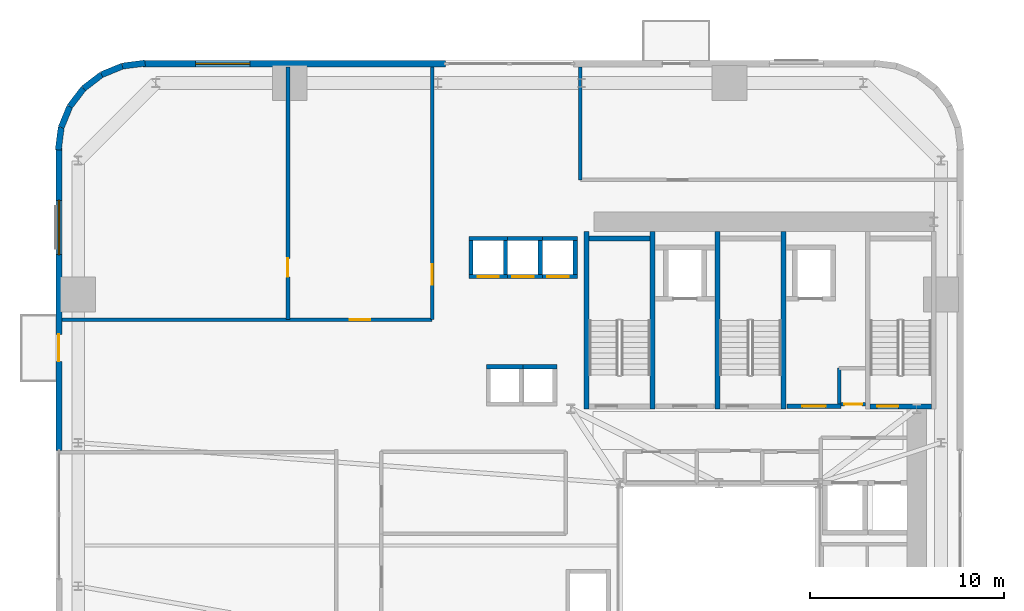
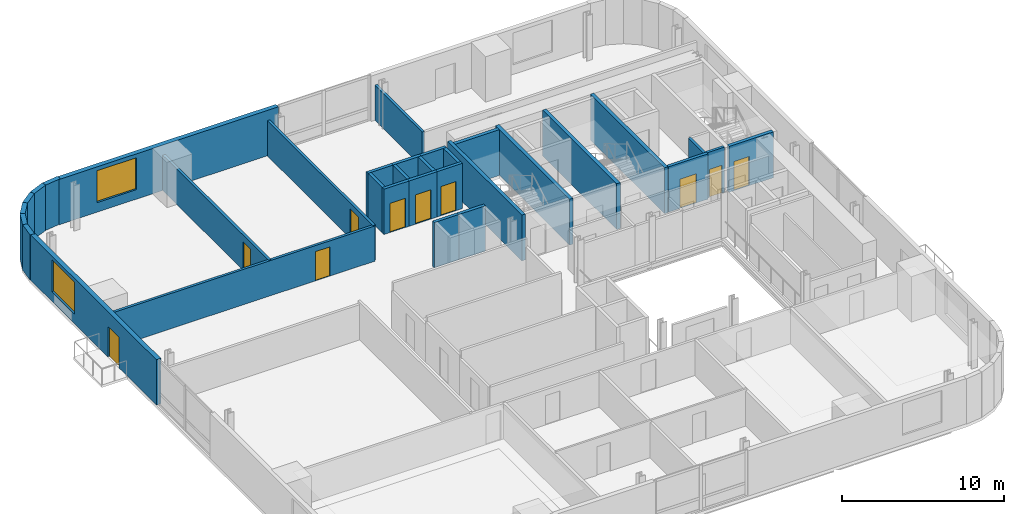
# One storey, part 8 of 11: 33 walls, 10 doors, 2 windows, 12 openings.
"""IFC4 building model written with IfcOpenShell, lengths in metres."""

from ifc_helpers import new_model, si_unit, direction, frame, frame_2d, origin, place, context, subcontext, project, spatial, rectangle, extrude, source, transform, mapped, material, layer, layer_set, type_object, element, fill, save


model = new_model("IFC4")

# Units and contexts
model_context = context("Model", 3, precision=1e-05, world=origin(), true_north=direction((0.0, 1.0)))
body_context = subcontext(model_context, "Body", "Model", "MODEL_VIEW")
ifc_project = project(units=[si_unit("LENGTHUNIT", "METRE"), si_unit("AREAUNIT", "SQUARE_METRE"), si_unit("VOLUMEUNIT", "CUBIC_METRE"), si_unit("PLANEANGLEUNIT", "RADIAN"), si_unit("MASSUNIT", "GRAM", prefix="KILO")], contexts=[model_context])

# Site, building, storey
site_placement = place(None, origin())
site = spatial("IfcSite", under=ifc_project, at=site_placement, CompositionType="ELEMENT")
building_placement = place(site_placement, origin())
building = spatial("IfcBuilding", under=site, at=building_placement, Name="Vardaveli Station Tower", CompositionType="ELEMENT")
storey_placement = place(building_placement, frame((0.0, 0.0, 78.699951171875)))
storey = spatial("IfcBuildingStorey", under=building, at=storey_placement, Name="L20", CompositionType="ELEMENT", Elevation=78.699951171875)

# Wall, opening, window
ifc_material_1 = material(Name="Precast concrete C45/55", Category="concrete")
ifc_layer_1 = layer(ifc_material_1, 0.320068359375, Name="Precast concrete C45/55")
ifc_layer_set_1 = layer_set([ifc_layer_1], Name="Precast concrete C45/55")
wall_type_1 = type_object("IfcWallType", Name="WAL-EXT-STONE-320", PredefinedType="SOLIDWALL", material=ifc_layer_set_1)
shared_shape_1 = source(origin(), body_context, "Body", "SweptSolid", [
    extrude(rectangle(XDim=15.599853515625, YDim=0.320068359375, at=frame_2d((7.7998046875, 0.0))), origin(), (0.0, 0.0, 1.0), 3.41015625),
])
wall_1_placement = place(storey_placement, frame((22.199951171875, 48.43994140625, 0.0), z_axis=(0.0, 0.0, 1.0), x_axis=(-1.0, 0.0, 0.0)))
wall_1 = element("IfcWall", 1, at=wall_1_placement, inside=storey, type_object=wall_type_1, Name="EW-L20-N2", PredefinedType="SOLIDWALL", context=body_context, shape_type="MappedRepresentation", body=[
    mapped(shared_shape_1, transform((0.0, 0.0, 0.0), scale=1.0)),
])
shared_shape_2 = source(origin(), body_context, "Body", "SweptSolid", [
    extrude(rectangle(XDim=2.800048828125, YDim=2.39990234375, at=frame_2d((1.39990234375, 1.199951171875))), frame((0.0, 0.169921875, 0.0), z_axis=(0.0, -1.0, 0.0), x_axis=(1.0, 0.0, 0.0)), (0.0, 0.0, 1.0), 0.340087890625),
])
opening_1_placement = place(wall_1_placement, frame((10.094970703125, 0.0, 0.719970703125)))
opening_1 = element("IfcOpeningElement", 2, at=opening_1_placement, cuts=wall_1, Name="Opening W-04", PredefinedType="OPENING", context=body_context, shape_type="MappedRepresentation", body=[
    mapped(shared_shape_2, transform((0.0, 0.0, 0.0), scale=1.0)),
])
ifc_material_2 = material(Name="Low-E solar-control glass", Category="glass")
window_type = type_object("IfcWindowType", Name="WIN-SUITE-2800x2400", PartitioningType="SINGLE_PANEL", PredefinedType="WINDOW", material=ifc_material_2)
shared_shape_3 = source(origin(), body_context, "Body", "SweptSolid", [
    extrude(rectangle(XDim=2.800048828125, YDim=2.39990234375, at=frame_2d((1.39990234375, 1.199951171875))), frame((0.0, 0.030029296875, 0.0), z_axis=(0.0, -1.0, 0.0), x_axis=(1.0, 0.0, 0.0)), (0.0, 0.0, 1.0), 0.06005859375),
])
window_1_placement = place(opening_1_placement, origin())
window_1 = element("IfcWindow", 3, at=window_1_placement, inside=storey, type_object=window_type, Name="WN-L20-N2", OverallHeight=2.39990234375, OverallWidth=2.800048828125, PartitioningType="SINGLE_PANEL", PredefinedType="WINDOW", context=body_context, shape_type="MappedRepresentation", body=[
    mapped(shared_shape_3, transform((0.0, 0.0, 0.0), scale=1.0)),
])
fill(opening_1, window_1)

# Wall, openings, door, window
shared_shape_4 = source(origin(), body_context, "Body", "SweptSolid", [
    extrude(rectangle(XDim=15.60009765625, YDim=0.320068359375, at=frame_2d((7.800048828125, 0.0))), origin(), (0.0, 0.0, 1.0), 3.41015625),
])
wall_2_placement = place(storey_placement, frame((2.260009765625, 44.10009765625, 0.0), z_axis=(0.0, 0.0, 1.0), x_axis=(0.0, -1.0, 0.0)))
wall_2 = element("IfcWall", 4, at=wall_2_placement, inside=storey, type_object=wall_type_1, Name="EW-L20-W1", PredefinedType="SOLIDWALL", context=body_context, shape_type="MappedRepresentation", body=[
    mapped(shared_shape_4, transform((0.0, 0.0, 0.0), scale=1.0)),
])
shared_shape_5 = source(origin(), body_context, "Body", "SweptSolid", [
    extrude(rectangle(XDim=1.39990234375, YDim=2.300048828125, at=frame_2d((0.699951171875, 1.14990234375))), frame((0.0, 0.169921875, 0.0), z_axis=(0.0, -1.0, 0.0), x_axis=(1.0, 0.0, 0.0)), (0.0, 0.0, 1.0), 0.340087890625),
])
opening_2_placement = place(wall_2_placement, frame((9.6103515625, 0.0, 0.0)))
opening_2 = element("IfcOpeningElement", 5, at=opening_2_placement, cuts=wall_2, Name="Opening D-09", PredefinedType="OPENING", context=body_context, shape_type="MappedRepresentation", body=[
    mapped(shared_shape_5, transform((0.0, 0.0, 0.0), scale=1.0)),
])
opening_3_placement = place(wall_2_placement, frame((2.705078125, 0.0, 0.719970703125)))
opening_3 = element("IfcOpeningElement", 6, at=opening_3_placement, cuts=wall_2, Name="Opening W-04", PredefinedType="OPENING", context=body_context, shape_type="MappedRepresentation", body=[
    mapped(shared_shape_2, transform((0.0, 0.0, 0.0), scale=1.0)),
])
ifc_material_3 = material(Name="Thermally broken aluminium glass", Category="aluminium")
door_type_1 = type_object("IfcDoorType", Name="DR-LOG-1400x2300", OperationType="DOUBLE_DOOR_SLIDING", PredefinedType="DOOR", material=ifc_material_3)
shared_shape_6 = source(origin(), body_context, "Body", "SweptSolid", [
    extrude(rectangle(XDim=1.39990234375, YDim=2.300048828125, at=frame_2d((0.699951171875, 1.14990234375))), frame((0.0, 0.02490234375, 0.0), z_axis=(0.0, -1.0, 0.0), x_axis=(1.0, 0.0, 0.0)), (0.0, 0.0, 1.0), 0.050048828125),
])
door_1_placement = place(opening_2_placement, frame((1.39990234375, 0.0, 0.0), z_axis=(0.0, 0.0, 1.0), x_axis=(-1.0, 0.0, 0.0)))
door_1 = element("IfcDoor", 7, at=door_1_placement, inside=storey, type_object=door_type_1, Name="DLG-L20-W", OperationType="DOUBLE_DOOR_SLIDING", OverallHeight=2.300048828125, OverallWidth=1.39990234375, PredefinedType="DOOR", context=body_context, shape_type="MappedRepresentation", body=[
    mapped(shared_shape_6, transform((0.0, 0.0, 0.0), scale=1.0)),
])
fill(opening_2, door_1)
window_2_placement = place(opening_3_placement, origin())
window_2 = element("IfcWindow", 8, at=window_2_placement, inside=storey, type_object=window_type, Name="WN-L20-W1", OverallHeight=2.39990234375, OverallWidth=2.800048828125, PartitioningType="SINGLE_PANEL", PredefinedType="WINDOW", context=body_context, shape_type="MappedRepresentation", body=[
    mapped(shared_shape_3, transform((0.0, 0.0, 0.0), scale=1.0)),
])
fill(opening_3, window_2)

# Walls
shared_shape_7 = source(origin(), body_context, "Body", "SweptSolid", [
    extrude(rectangle(XDim=1.1689453125, YDim=0.320068359375, at=frame_2d((0.58447265625, 0.0))), origin(), (0.0, 0.0, 1.0), 3.41015625),
])
wall_3_placement = place(storey_placement, frame((3.53125, 47.1689453125, 0.0), z_axis=(0.0, 0.0, 1.0), x_axis=(-0.608387696831, -0.793639975269, 0.0)))
element("IfcWall", 9, at=wall_3_placement, inside=storey, type_object=wall_type_1, Name="EW-L20-CR4-4", PredefinedType="SOLIDWALL", context=body_context, shape_type="MappedRepresentation", body=[
    mapped(shared_shape_7, transform((0.0, 0.0, 0.0), scale=1.0)),
])
shared_shape_8 = source(origin(), body_context, "Body", "SweptSolid", [
    extrude(rectangle(XDim=1.168701171875, YDim=0.320068359375, at=frame_2d((0.58447265625, 0.0))), origin(), (0.0, 0.0, 1.0), 3.41015625),
])
wall_4_placement = place(storey_placement, frame((4.458740234375, 47.8798828125, 0.0), z_axis=(0.0, 0.0, 1.0), x_axis=(-0.793663520347, -0.608356981114, 0.0)))
element("IfcWall", 10, at=wall_4_placement, inside=storey, type_object=wall_type_1, Name="EW-L20-CR4-3", PredefinedType="SOLIDWALL", context=body_context, shape_type="MappedRepresentation", body=[
    mapped(shared_shape_8, transform((0.0, 0.0, 0.0), scale=1.0)),
])
shared_shape_9 = source(origin(), body_context, "Body", "SweptSolid", [
    extrude(rectangle(XDim=1.17041015625, YDim=0.320068359375, at=frame_2d((0.585205078125, 0.0))), origin(), (0.0, 0.0, 1.0), 3.41015625),
])
for number, where, z_axis, x_axis, name in (
    (11, (6.700439453125, 48.4755859375, 0.0), (0.0, 0.0, 1.0), (-0.991735963317, -0.128295670475, 0.0), "EW-L20-CR4-1"),
    (12, (2.37451171875, 45.16015625, 0.0), (0.0, 0.0, 1.0), (-0.128295670475, -0.991735963317, 0.0), "EW-L20-CR4-6"),
):
    element("IfcWall", number, at=place(storey_placement, frame(where, z_axis=z_axis, x_axis=x_axis)), inside=storey, type_object=wall_type_1, Name=name, PredefinedType="SOLIDWALL", context=body_context, shape_type="MappedRepresentation", body=[
        mapped(shared_shape_9, transform((0.0, 0.0, 0.0), scale=1.0)),
    ])
shared_shape_10 = source(origin(), body_context, "Body", "SweptSolid", [
    extrude(rectangle(XDim=1.169189453125, YDim=0.320068359375, at=frame_2d((0.58447265625, 0.0))), origin(), (0.0, 0.0, 1.0), 3.41015625),
])
for number, where, z_axis, x_axis, name in (
    (13, (5.539794921875, 48.325439453125, 0.0), (0.0, 0.0, 1.0), (-0.924552646638, -0.381054331552, 0.0), "EW-L20-CR4-2"),
    (14, (2.820068359375, 46.2412109375, 0.0), (0.0, 0.0, 1.0), (-0.381054331552, -0.924552646638, 0.0), "EW-L20-CR4-5"),
):
    element("IfcWall", number, at=place(storey_placement, frame(where, z_axis=z_axis, x_axis=x_axis)), inside=storey, type_object=wall_type_1, Name=name, PredefinedType="SOLIDWALL", context=body_context, shape_type="MappedRepresentation", body=[
        mapped(shared_shape_10, transform((0.0, 0.0, 0.0), scale=1.0)),
    ])
ifc_material_4 = material(Name="Concrete C40/50", Category="concrete")
ifc_layer_2 = layer(ifc_material_4, 0.25, Name="Concrete C40/50")
ifc_layer_set_2 = layer_set([ifc_layer_2], Name="Concrete C40/50")
wall_type_2 = type_object("IfcWallType", Name="WAL-SHAFT-250", PredefinedType="SOLIDWALL", material=ifc_layer_set_2)
shared_shape_11 = source(origin(), body_context, "Body", "SweptSolid", [
    extrude(rectangle(XDim=9.150146484375, YDim=0.25, at=frame_2d((4.5751953125, 0.0))), origin(), (0.0, 0.0, 1.0), 3.449951171875),
])
for number, where, z_axis, x_axis, name in (
    (15, (29.47509765625, 30.64990234375, 0.0), (0.0, 0.0, 1.0), (0.0, 1.0, 0.0), "W-L20-ST-1W"),
    (16, (32.875, 30.64990234375, 0.0), (0.0, 0.0, 1.0), (0.0, 1.0, 0.0), "W-L20-ST-1E"),
    (17, (36.22509765625, 30.64990234375, 0.0), (0.0, 0.0, 1.0), (0.0, 1.0, 0.0), "W-L20-ST-2W"),
    (18, (39.625, 30.64990234375, 0.0), (0.0, 0.0, 1.0), (0.0, 1.0, 0.0), "W-L20-ST-2E"),
):
    element("IfcWall", number, at=place(storey_placement, frame(where, z_axis=z_axis, x_axis=x_axis)), inside=storey, type_object=wall_type_2, Name=name, PredefinedType="SOLIDWALL", context=body_context, shape_type="MappedRepresentation", body=[
        mapped(shared_shape_11, transform((0.0, 0.0, 0.0), scale=1.0)),
    ])
shared_shape_12 = source(origin(), body_context, "Body", "SweptSolid", [
    extrude(rectangle(XDim=3.14990234375, YDim=0.25, at=frame_2d((1.574951171875, 0.0))), origin(), (0.0, 0.0, 1.0), 3.449951171875),
])
wall_5_placement = place(storey_placement, frame((29.60009765625, 39.425048828125, 0.0), z_axis=(0.0, 0.0, 1.0), x_axis=(1.0, 0.0, 0.0)))
element("IfcWall", 19, at=wall_5_placement, inside=storey, type_object=wall_type_2, Name="W-L20-ST-1N", PredefinedType="SOLIDWALL", context=body_context, shape_type="MappedRepresentation", body=[
    mapped(shared_shape_12, transform((0.0, 0.0, 0.0), scale=1.0)),
])

# Wall, opening, door
wall_6_placement = place(storey_placement, frame((44.10009765625, 30.77490234375, 0.0), z_axis=(0.0, 0.0, 1.0), x_axis=(1.0, 0.0, 0.0)))
wall_6 = element("IfcWall", 20, at=wall_6_placement, inside=storey, type_object=wall_type_2, Name="W-L20-ST-3S", PredefinedType="SOLIDWALL", context=body_context, shape_type="MappedRepresentation", body=[
    mapped(shared_shape_12, transform((0.0, 0.0, 0.0), scale=1.0)),
])
shared_shape_13 = source(origin(), body_context, "Body", "SweptSolid", [
    extrude(rectangle(XDim=1.10009765625, YDim=2.199951171875, at=frame_2d((0.550048828125, 1.10009765625))), frame((0.0, 0.135009765625, 0.0), z_axis=(0.0, -1.0, 0.0), x_axis=(1.0, 0.0, 0.0)), (0.0, 0.0, 1.0), 0.27001953125),
])
opening_4_placement = place(wall_6_placement, frame((0.35009765625, 0.0, 0.0)))
opening_4 = element("IfcOpeningElement", 21, at=opening_4_placement, cuts=wall_6, Name="Opening D-04", PredefinedType="OPENING", context=body_context, shape_type="MappedRepresentation", body=[
    mapped(shared_shape_13, transform((0.0, 0.0, 0.0), scale=1.0)),
])
ifc_material_5 = material(Name="Steel smokeproof fire doorset", Category="steel")
door_type_2 = type_object("IfcDoorType", Name="DR-ST-1100x2200", OperationType="NOTDEFINED", PredefinedType="DOOR", material=ifc_material_5)
shared_shape_14 = source(origin(), body_context, "Body", "SweptSolid", [
    extrude(rectangle(XDim=1.10009765625, YDim=2.199951171875, at=frame_2d((0.550048828125, 1.10009765625))), frame((0.0, 0.02490234375, 0.0), z_axis=(0.0, -1.0, 0.0), x_axis=(1.0, 0.0, 0.0)), (0.0, 0.0, 1.0), 0.050048828125),
])
door_2_placement = place(opening_4_placement, origin())
door_2 = element("IfcDoor", 22, at=door_2_placement, inside=storey, type_object=door_type_2, Name="DST-3-L20", OperationType="SINGLE_SWING_LEFT", OverallHeight=2.199951171875, OverallWidth=1.10009765625, PredefinedType="DOOR", context=body_context, shape_type="MappedRepresentation", body=[
    mapped(shared_shape_14, transform((0.0, 0.0, 0.0), scale=1.0)),
])
fill(opening_4, door_2)

ifc_layer_3 = layer(ifc_material_4, 0.219970703125, Name="Concrete C40/50")
ifc_layer_set_3 = layer_set([ifc_layer_3], Name="Concrete C40/50")
wall_type_3 = type_object("IfcWallType", Name="WAL-FFLOBBY-220", PredefinedType="SOLIDWALL", material=ifc_layer_set_3)
shared_shape_15 = source(origin(), body_context, "Body", "SweptSolid", [
    extrude(rectangle(XDim=2.800048828125, YDim=0.219970703125, at=frame_2d((1.39990234375, 0.0))), origin(), (0.0, 0.0, 1.0), 3.41015625),
])
wall_7_placement = place(storey_placement, frame((39.800048828125, 30.780029296875, 0.0), z_axis=(0.0, 0.0, 1.0), x_axis=(1.0, 0.0, 0.0)))
wall_7 = element("IfcWall", 23, at=wall_7_placement, inside=storey, type_object=wall_type_3, Name="W-L20-FFL2S", PredefinedType="SOLIDWALL", context=body_context, shape_type="MappedRepresentation", body=[
    mapped(shared_shape_15, transform((0.0, 0.0, 0.0), scale=1.0)),
])
shared_shape_16 = source(origin(), body_context, "Body", "SweptSolid", [
    extrude(rectangle(XDim=1.199951171875, YDim=2.199951171875, at=frame_2d((0.60009765625, 1.10009765625))), frame((0.0, 0.1201171875, 0.0), z_axis=(0.0, -1.0, 0.0), x_axis=(1.0, 0.0, 0.0)), (0.0, 0.0, 1.0), 0.239990234375),
])
opening_5_placement = place(wall_7_placement, frame((0.800048828125, 0.0, 0.0)))
opening_5 = element("IfcOpeningElement", 24, at=opening_5_placement, cuts=wall_7, Name="Opening D-03", PredefinedType="OPENING", context=body_context, shape_type="MappedRepresentation", body=[
    mapped(shared_shape_16, transform((0.0, 0.0, 0.0), scale=1.0)),
])
door_type_3 = type_object("IfcDoorType", Name="DR-FFL-1200x2200", OperationType="NOTDEFINED", PredefinedType="DOOR", material=ifc_material_5)
shared_shape_17 = source(origin(), body_context, "Body", "SweptSolid", [
    extrude(rectangle(XDim=1.199951171875, YDim=2.199951171875, at=frame_2d((0.60009765625, 1.10009765625))), frame((0.0, 0.02490234375, 0.0), z_axis=(0.0, -1.0, 0.0), x_axis=(1.0, 0.0, 0.0)), (0.0, 0.0, 1.0), 0.050048828125),
])
door_3_placement = place(opening_5_placement, origin())
door_3 = element("IfcDoor", 25, at=door_3_placement, inside=storey, type_object=door_type_3, Name="DFFL2-L20", OperationType="SINGLE_SWING_RIGHT", OverallHeight=2.199951171875, OverallWidth=1.199951171875, PredefinedType="DOOR", context=body_context, shape_type="MappedRepresentation", body=[
    mapped(shared_shape_17, transform((0.0, 0.0, 0.0), scale=1.0)),
])
fill(opening_5, door_3)

shared_shape_18 = source(origin(), body_context, "Body", "SweptSolid", [
    extrude(rectangle(XDim=1.989990234375, YDim=0.219970703125, at=frame_2d((0.9951171875, 0.0))), origin(), (0.0, 0.0, 1.0), 3.41015625),
])
wall_8_placement = place(storey_placement, frame((23.405029296875, 37.465087890625, 0.0), z_axis=(0.0, 0.0, 1.0), x_axis=(1.0, 0.0, 0.0)))
wall_8 = element("IfcWall", 26, at=wall_8_placement, inside=storey, type_object=wall_type_3, Name="SHW-HL1-01-L20-S", PredefinedType="SOLIDWALL", context=body_context, shape_type="MappedRepresentation", body=[
    mapped(shared_shape_18, transform((0.0, 0.0, 0.0), scale=1.0)),
])
shared_shape_19 = source(origin(), body_context, "Body", "SweptSolid", [
    extrude(rectangle(XDim=1.10009765625, YDim=2.199951171875, at=frame_2d((0.550048828125, 1.10009765625))), frame((0.0, 0.1201171875, 0.0), z_axis=(0.0, -1.0, 0.0), x_axis=(1.0, 0.0, 0.0)), (0.0, 0.0, 1.0), 0.239990234375),
])
opening_6_placement = place(wall_8_placement, frame((0.445068359375, 0.0, 0.0)))
opening_6 = element("IfcOpeningElement", 27, at=opening_6_placement, cuts=wall_8, Name="Opening LD-01", PredefinedType="OPENING", context=body_context, shape_type="MappedRepresentation", body=[
    mapped(shared_shape_19, transform((0.0, 0.0, 0.0), scale=1.0)),
])
ifc_material_6 = material(Name="Brushed stainless steel", Category="steel")
door_type_4 = type_object("IfcDoorType", Name="DR-LD-1100x2200", OperationType="DOUBLE_DOOR_SLIDING", PredefinedType="DOOR", material=ifc_material_6)
door_4_placement = place(opening_6_placement, origin())
door_4 = element("IfcDoor", 28, at=door_4_placement, inside=storey, type_object=door_type_4, Name="LD-HL1-01-L20", OperationType="DOUBLE_DOOR_SLIDING", OverallHeight=2.199951171875, OverallWidth=1.10009765625, PredefinedType="DOOR", context=body_context, shape_type="MappedRepresentation", body=[
    mapped(shared_shape_14, transform((0.0, 0.0, 0.0), scale=1.0)),
])
fill(opening_6, door_4)

# Wall
wall_9_placement = place(storey_placement, frame((23.405029296875, 39.43505859375, 0.0), z_axis=(0.0, 0.0, 1.0), x_axis=(1.0, 0.0, 0.0)))
element("IfcWall", 29, at=wall_9_placement, inside=storey, type_object=wall_type_3, Name="SHW-HL1-01-L20-N", PredefinedType="SOLIDWALL", context=body_context, shape_type="MappedRepresentation", body=[
    mapped(shared_shape_18, transform((0.0, 0.0, 0.0), scale=1.0)),
])

# Wall, opening, door
wall_10_placement = place(storey_placement, frame((25.205078125, 37.465087890625, 0.0), z_axis=(0.0, 0.0, 1.0), x_axis=(1.0, 0.0, 0.0)))
wall_10 = element("IfcWall", 30, at=wall_10_placement, inside=storey, type_object=wall_type_3, Name="SHW-HL1-02-L20-S", PredefinedType="SOLIDWALL", context=body_context, shape_type="MappedRepresentation", body=[
    mapped(shared_shape_18, transform((0.0, 0.0, 0.0), scale=1.0)),
])
opening_7_placement = place(wall_10_placement, frame((0.445068359375, 0.0, 0.0)))
opening_7 = element("IfcOpeningElement", 31, at=opening_7_placement, cuts=wall_10, Name="Opening LD-01", PredefinedType="OPENING", context=body_context, shape_type="MappedRepresentation", body=[
    mapped(shared_shape_19, transform((0.0, 0.0, 0.0), scale=1.0)),
])
door_5_placement = place(opening_7_placement, origin())
door_5 = element("IfcDoor", 32, at=door_5_placement, inside=storey, type_object=door_type_4, Name="LD-HL1-02-L20", OperationType="DOUBLE_DOOR_SLIDING", OverallHeight=2.199951171875, OverallWidth=1.10009765625, PredefinedType="DOOR", context=body_context, shape_type="MappedRepresentation", body=[
    mapped(shared_shape_14, transform((0.0, 0.0, 0.0), scale=1.0)),
])
fill(opening_7, door_5)

# Walls
wall_11_placement = place(storey_placement, frame((25.205078125, 39.43505859375, 0.0), z_axis=(0.0, 0.0, 1.0), x_axis=(1.0, 0.0, 0.0)))
element("IfcWall", 33, at=wall_11_placement, inside=storey, type_object=wall_type_3, Name="SHW-HL1-02-L20-N", PredefinedType="SOLIDWALL", context=body_context, shape_type="MappedRepresentation", body=[
    mapped(shared_shape_18, transform((0.0, 0.0, 0.0), scale=1.0)),
])
shared_shape_20 = source(origin(), body_context, "Body", "SweptSolid", [
    extrude(rectangle(XDim=1.75, YDim=0.219970703125, at=frame_2d((0.875, 0.0))), origin(), (0.0, 0.0, 1.0), 3.41015625),
])
for number, where, z_axis, x_axis, name in (
    (34, (23.514892578125, 37.574951171875, 0.0), (0.0, 0.0, 1.0), (0.0, 1.0, 0.0), "SHW-HL1-01-L20-W"),
    (35, (25.284912109375, 37.574951171875, 0.0), (0.0, 0.0, 1.0), (0.0, 1.0, 0.0), "SHW-HL1-01-L20-E"),
    (36, (27.0849609375, 37.574951171875, 0.0), (0.0, 0.0, 1.0), (0.0, 1.0, 0.0), "SHW-HL1-02-L20-E"),
    (37, (28.885009765625, 37.574951171875, 0.0), (0.0, 0.0, 1.0), (0.0, 1.0, 0.0), "SHW-HL1-03-L20-E"),
):
    element("IfcWall", number, at=place(storey_placement, frame(where, z_axis=z_axis, x_axis=x_axis)), inside=storey, type_object=wall_type_3, Name=name, PredefinedType="SOLIDWALL", context=body_context, shape_type="MappedRepresentation", body=[
        mapped(shared_shape_20, transform((0.0, 0.0, 0.0), scale=1.0)),
    ])

# Wall, opening, door
shared_shape_21 = source(origin(), body_context, "Body", "SweptSolid", [
    extrude(rectangle(XDim=1.990234375, YDim=0.219970703125, at=frame_2d((0.9951171875, 0.0))), origin(), (0.0, 0.0, 1.0), 3.41015625),
])
wall_12_placement = place(storey_placement, frame((27.0048828125, 37.465087890625, 0.0), z_axis=(0.0, 0.0, 1.0), x_axis=(1.0, 0.0, 0.0)))
wall_12 = element("IfcWall", 38, at=wall_12_placement, inside=storey, type_object=wall_type_3, Name="SHW-HL1-03-L20-S", PredefinedType="SOLIDWALL", context=body_context, shape_type="MappedRepresentation", body=[
    mapped(shared_shape_21, transform((0.0, 0.0, 0.0), scale=1.0)),
])
opening_8_placement = place(wall_12_placement, frame((0.445068359375, 0.0, 0.0)))
opening_8 = element("IfcOpeningElement", 39, at=opening_8_placement, cuts=wall_12, Name="Opening LD-01", PredefinedType="OPENING", context=body_context, shape_type="MappedRepresentation", body=[
    mapped(shared_shape_19, transform((0.0, 0.0, 0.0), scale=1.0)),
])
door_6_placement = place(opening_8_placement, origin())
door_6 = element("IfcDoor", 40, at=door_6_placement, inside=storey, type_object=door_type_4, Name="LD-HL1-03-L20", OperationType="DOUBLE_DOOR_SLIDING", OverallHeight=2.199951171875, OverallWidth=1.10009765625, PredefinedType="DOOR", context=body_context, shape_type="MappedRepresentation", body=[
    mapped(shared_shape_14, transform((0.0, 0.0, 0.0), scale=1.0)),
])
fill(opening_8, door_6)

# Walls
wall_13_placement = place(storey_placement, frame((27.0048828125, 39.43505859375, 0.0), z_axis=(0.0, 0.0, 1.0), x_axis=(1.0, 0.0, 0.0)))
element("IfcWall", 41, at=wall_13_placement, inside=storey, type_object=wall_type_3, Name="SHW-HL1-03-L20-N", PredefinedType="SOLIDWALL", context=body_context, shape_type="MappedRepresentation", body=[
    mapped(shared_shape_21, transform((0.0, 0.0, 0.0), scale=1.0)),
])
shared_shape_22 = source(origin(), body_context, "Body", "SweptSolid", [
    extrude(rectangle(XDim=1.89013671875, YDim=0.219970703125, at=frame_2d((0.945068359375, 0.0))), origin(), (0.0, 0.0, 1.0), 3.41015625),
])
for number, where, z_axis, x_axis, name in (
    (42, (24.304931640625, 32.81005859375, 0.0), (0.0, 0.0, 1.0), (1.0, 0.0, 0.0), "SHW-SHU-01-L20-N"),
    (43, (26.054931640625, 32.81005859375, 0.0), (0.0, 0.0, 1.0), (1.0, 0.0, 0.0), "SHW-SHU-02-L20-N"),
):
    element("IfcWall", number, at=place(storey_placement, frame(where, z_axis=z_axis, x_axis=x_axis)), inside=storey, type_object=wall_type_3, Name=name, PredefinedType="SOLIDWALL", context=body_context, shape_type="MappedRepresentation", body=[
        mapped(shared_shape_22, transform((0.0, 0.0, 0.0), scale=1.0)),
    ])

# Wall, opening, door
ifc_material_7 = material(Name="Fire-rated gypsum stud partition")
ifc_layer_4 = layer(ifc_material_7, 0.179931640625, Name="Fire-rated gypsum stud partition")
ifc_layer_set_4 = layer_set([ifc_layer_4], Name="Fire-rated gypsum stud partition")
wall_type_4 = type_object("IfcWallType", Name="WAL-CORR-180", PredefinedType="PARTITIONING", material=ifc_layer_set_4)
shared_shape_23 = source(origin(), body_context, "Body", "SweptSolid", [
    extrude(rectangle(XDim=19.077880859375, YDim=0.179931640625, at=frame_2d((9.5390625, 0.0))), origin(), (0.0, 0.0, 1.0), 2.652099609375),
])
wall_14_placement = place(storey_placement, frame((2.422119140625, 35.25, 0.0), z_axis=(0.0, 0.0, 1.0), x_axis=(1.0, 0.0, 0.0)))
wall_14 = element("IfcWall", 44, at=wall_14_placement, inside=storey, type_object=wall_type_4, Name="W-L20-CNWS", PredefinedType="PARTITIONING", context=body_context, shape_type="MappedRepresentation", body=[
    mapped(shared_shape_23, transform((0.0, 0.0, 0.0), scale=1.0)),
])
shared_shape_24 = source(origin(), body_context, "Body", "SweptSolid", [
    extrude(rectangle(XDim=1.050048828125, YDim=2.199951171875, at=frame_2d((0.52490234375, 1.10009765625))), frame((0.0, 0.10009765625, 0.0), z_axis=(0.0, -1.0, 0.0), x_axis=(1.0, 0.0, 0.0)), (0.0, 0.0, 1.0), 0.199951171875),
])
opening_9_placement = place(wall_14_placement, frame((14.84326171875, 0.0, 0.0)))
opening_9 = element("IfcOpeningElement", 45, at=opening_9_placement, cuts=wall_14, Name="Opening D-05", PredefinedType="OPENING", context=body_context, shape_type="MappedRepresentation", body=[
    mapped(shared_shape_24, transform((0.0, 0.0, 0.0), scale=1.0)),
])
ifc_material_8 = material(Name="Walnut veneer acoustic fire door")
door_type_5 = type_object("IfcDoorType", Name="DR-SUITE-1050x2200", OperationType="NOTDEFINED", PredefinedType="DOOR", material=ifc_material_8)
shared_shape_25 = source(origin(), body_context, "Body", "SweptSolid", [
    extrude(rectangle(XDim=1.050048828125, YDim=2.199951171875, at=frame_2d((0.52490234375, 1.10009765625))), frame((0.0, 0.02490234375, 0.0), z_axis=(0.0, -1.0, 0.0), x_axis=(1.0, 0.0, 0.0)), (0.0, 0.0, 1.0), 0.050048828125),
])
door_7_placement = place(opening_9_placement, origin())
door_7 = element("IfcDoor", 46, at=door_7_placement, inside=storey, type_object=door_type_5, Name="D-L20-GNW2", OperationType="SINGLE_SWING_LEFT", OverallHeight=2.199951171875, OverallWidth=1.050048828125, PredefinedType="DOOR", context=body_context, shape_type="MappedRepresentation", body=[
    mapped(shared_shape_25, transform((0.0, 0.0, 0.0), scale=1.0)),
])
fill(opening_9, door_7)

shared_shape_26 = source(origin(), body_context, "Body", "SweptSolid", [
    extrude(rectangle(XDim=13.028076171875, YDim=0.179931640625, at=frame_2d((6.51416015625, 0.0))), origin(), (0.0, 0.0, 1.0), 2.652099609375),
])
wall_15_placement = place(storey_placement, frame((21.5, 35.25, 0.0), z_axis=(0.0, 0.0, 1.0), x_axis=(0.0, 1.0, 0.0)))
wall_15 = element("IfcWall", 47, at=wall_15_placement, inside=storey, type_object=wall_type_4, Name="W-L20-CNWE", PredefinedType="PARTITIONING", context=body_context, shape_type="MappedRepresentation", body=[
    mapped(shared_shape_26, transform((0.0, 0.0, 0.0), scale=1.0)),
])
opening_10_placement = place(wall_15_placement, frame((1.800048828125, 0.0, 0.0)))
opening_10 = element("IfcOpeningElement", 48, at=opening_10_placement, cuts=wall_15, Name="Opening D-05", PredefinedType="OPENING", context=body_context, shape_type="MappedRepresentation", body=[
    mapped(shared_shape_24, transform((0.0, 0.0, 0.0), scale=1.0)),
])
door_8_placement = place(opening_10_placement, origin())
door_8 = element("IfcDoor", 49, at=door_8_placement, inside=storey, type_object=door_type_5, Name="D-L20-GNWE", OperationType="SINGLE_SWING_LEFT", OverallHeight=2.199951171875, OverallWidth=1.050048828125, PredefinedType="DOOR", context=body_context, shape_type="MappedRepresentation", body=[
    mapped(shared_shape_25, transform((0.0, 0.0, 0.0), scale=1.0)),
])
fill(opening_10, door_8)

# Wall
shared_shape_27 = source(origin(), body_context, "Body", "SweptSolid", [
    extrude(rectangle(XDim=5.828125, YDim=0.179931640625, at=frame_2d((2.9140625, 0.0))), origin(), (0.0, 0.0, 1.0), 2.652099609375),
])
wall_16_placement = place(storey_placement, frame((29.14990234375, 42.449951171875, 0.0), z_axis=(0.0, 0.0, 1.0), x_axis=(0.0, 1.0, 0.0)))
element("IfcWall", 50, at=wall_16_placement, inside=storey, type_object=wall_type_4, Name="W-L20-NPW", PredefinedType="PARTITIONING", context=body_context, shape_type="MappedRepresentation", body=[
    mapped(shared_shape_27, transform((0.0, 0.0, 0.0), scale=1.0)),
])

# Wall, opening, door
shared_shape_28 = source(origin(), body_context, "Body", "SweptSolid", [
    extrude(rectangle(XDim=1.247802734375, YDim=0.179931640625, at=frame_2d((0.6240234375, 0.0))), origin(), (0.0, 0.0, 1.0), 3.41015625),
])
wall_17_placement = place(storey_placement, frame((42.60009765625, 30.8798828125, 0.0), z_axis=(0.0, 0.0, 1.0), x_axis=(1.0, 0.0, 0.0)))
wall_17 = element("IfcWall", 51, at=wall_17_placement, inside=storey, type_object=wall_type_4, Name="W-L20-CBS2A-S", PredefinedType="PARTITIONING", context=body_context, shape_type="MappedRepresentation", body=[
    mapped(shared_shape_28, transform((0.0, 0.0, 0.0), scale=1.0)),
])
shared_shape_29 = source(origin(), body_context, "Body", "SweptSolid", [
    extrude(rectangle(XDim=0.919921875, YDim=2.10009765625, at=frame_2d((0.4599609375, 1.050048828125))), frame((0.0, 0.10009765625, 0.0), z_axis=(0.0, -1.0, 0.0), x_axis=(1.0, 0.0, 0.0)), (0.0, 0.0, 1.0), 0.199951171875),
])
opening_11_placement = place(wall_17_placement, frame((0.1640625, 0.0, 0.0)))
opening_11 = element("IfcOpeningElement", 52, at=opening_11_placement, cuts=wall_17, Name="Opening D-07", PredefinedType="OPENING", context=body_context, shape_type="MappedRepresentation", body=[
    mapped(shared_shape_29, transform((0.0, 0.0, 0.0), scale=1.0)),
])
ifc_material_9 = material(Name="Moisture-resistant hardwood door", Category="wood")
door_type_6 = type_object("IfcDoorType", Name="DR-WC-920x2100", OperationType="NOTDEFINED", PredefinedType="DOOR", material=ifc_material_9)
shared_shape_30 = source(origin(), body_context, "Body", "SweptSolid", [
    extrude(rectangle(XDim=0.919921875, YDim=2.10009765625, at=frame_2d((0.4599609375, 1.050048828125))), frame((0.0, 0.02490234375, 0.0), z_axis=(0.0, -1.0, 0.0), x_axis=(1.0, 0.0, 0.0)), (0.0, 0.0, 1.0), 0.050048828125),
])
door_9_placement = place(opening_11_placement, origin())
door_9 = element("IfcDoor", 53, at=door_9_placement, inside=storey, type_object=door_type_6, Name="D-L20-CBS1", OperationType="SINGLE_SWING_LEFT", OverallHeight=2.10009765625, OverallWidth=0.919921875, PredefinedType="DOOR", context=body_context, shape_type="MappedRepresentation", body=[
    mapped(shared_shape_30, transform((0.0, 0.0, 0.0), scale=1.0)),
])
fill(opening_11, door_9)

# Wall
shared_shape_31 = source(origin(), body_context, "Body", "SweptSolid", [
    extrude(rectangle(XDim=1.85791015625, YDim=0.179931640625, at=frame_2d((0.928955078125, 0.0))), origin(), (0.0, 0.0, 1.0), 3.41015625),
])
wall_18_placement = place(storey_placement, frame((42.5, 30.89208984375, 0.0), z_axis=(0.0, 0.0, 1.0), x_axis=(0.0, 1.0, 0.0)))
element("IfcWall", 54, at=wall_18_placement, inside=storey, type_object=wall_type_4, Name="W-L20-CBS2A-W", PredefinedType="PARTITIONING", context=body_context, shape_type="MappedRepresentation", body=[
    mapped(shared_shape_31, transform((0.0, 0.0, 0.0), scale=1.0)),
])

# Wall, opening, door
ifc_material_10 = material(Name="Acoustic twin-stud gypsum partition")
ifc_layer_5 = layer(ifc_material_10, 0.199951171875, Name="Acoustic twin-stud gypsum partition")
ifc_layer_set_5 = layer_set([ifc_layer_5], Name="Acoustic twin-stud gypsum partition")
wall_type_5 = type_object("IfcWallType", Name="WAL-PARTY-200", PredefinedType="PARTITIONING", material=ifc_layer_set_5)
shared_shape_32 = source(origin(), body_context, "Body", "SweptSolid", [
    extrude(rectangle(XDim=13.028076171875, YDim=0.199951171875, at=frame_2d((6.51416015625, 0.0))), origin(), (0.0, 0.0, 1.0), 2.652099609375),
])
wall_19_placement = place(storey_placement, frame((14.070068359375, 35.25, 0.0), z_axis=(0.0, 0.0, 1.0), x_axis=(0.0, 1.0, 0.0)))
wall_19 = element("IfcWall", 55, at=wall_19_placement, inside=storey, type_object=wall_type_5, Name="W-L20-PNW1", PredefinedType="PARTITIONING", context=body_context, shape_type="MappedRepresentation", body=[
    mapped(shared_shape_32, transform((0.0, 0.0, 0.0), scale=1.0)),
])
shared_shape_33 = source(origin(), body_context, "Body", "SweptSolid", [
    extrude(rectangle(XDim=0.949951171875, YDim=2.14990234375, at=frame_2d((0.47509765625, 1.074951171875))), frame((0.0, 0.10986328125, 0.0), z_axis=(0.0, -1.0, 0.0), x_axis=(1.0, 0.0, 0.0)), (0.0, 0.0, 1.0), 0.219970703125),
])
opening_12_placement = place(wall_19_placement, frame((2.199951171875, 0.0, 0.0)))
opening_12 = element("IfcOpeningElement", 56, at=opening_12_placement, cuts=wall_19, Name="Opening D-11", PredefinedType="OPENING", context=body_context, shape_type="MappedRepresentation", body=[
    mapped(shared_shape_33, transform((0.0, 0.0, 0.0), scale=1.0)),
])
ifc_material_11 = material(Name="Oak veneer internal suite door")
door_type_7 = type_object("IfcDoorType", Name="DR-INT-950x2150", OperationType="NOTDEFINED", PredefinedType="DOOR", material=ifc_material_11)
shared_shape_34 = source(origin(), body_context, "Body", "SweptSolid", [
    extrude(rectangle(XDim=0.949951171875, YDim=2.14990234375, at=frame_2d((0.47509765625, 1.074951171875))), frame((0.0, 0.02490234375, 0.0), z_axis=(0.0, -1.0, 0.0), x_axis=(1.0, 0.0, 0.0)), (0.0, 0.0, 1.0), 0.050048828125),
])
door_10_placement = place(opening_12_placement, origin())
door_10 = element("IfcDoor", 57, at=door_10_placement, inside=storey, type_object=door_type_7, Name="D-L20-GNW1", OperationType="SINGLE_SWING_RIGHT", OverallHeight=2.14990234375, OverallWidth=0.949951171875, PredefinedType="DOOR", context=body_context, shape_type="MappedRepresentation", body=[
    mapped(shared_shape_34, transform((0.0, 0.0, 0.0), scale=1.0)),
])
fill(opening_12, door_10)

save(model, "model.ifc")
